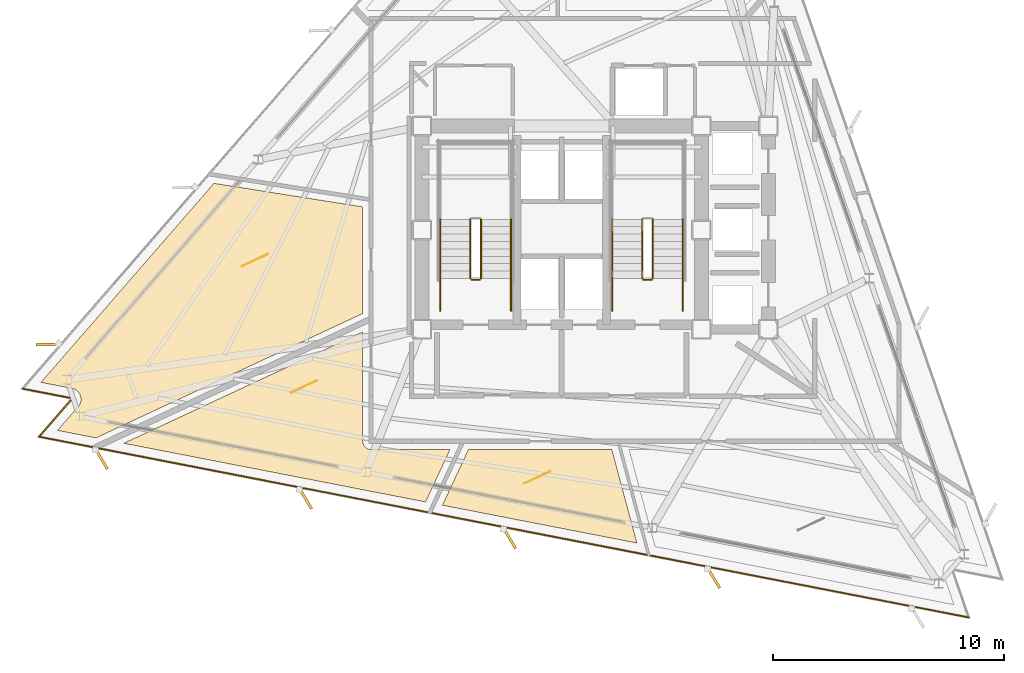
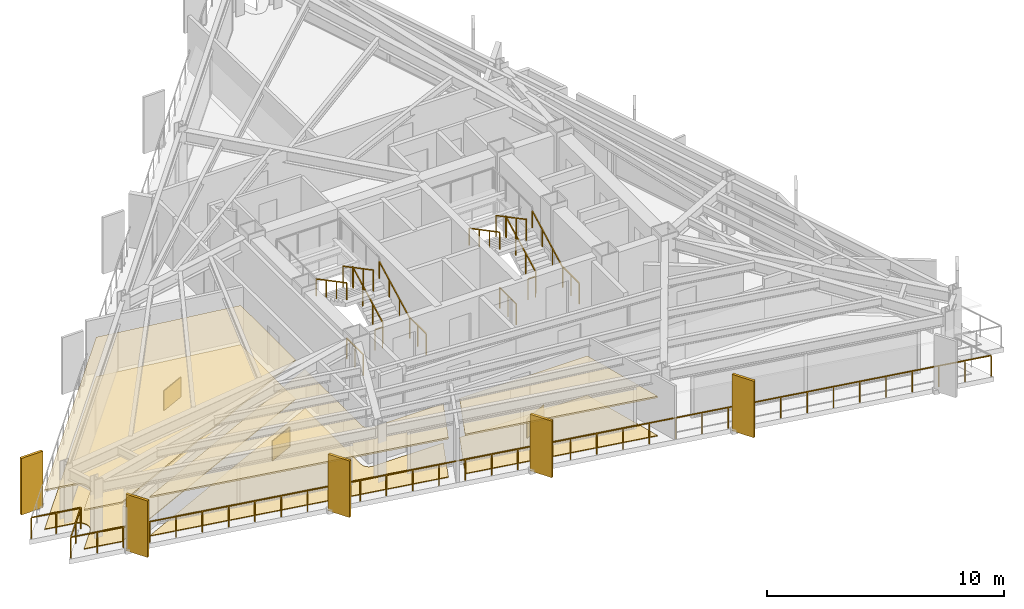
# One storey, part 11 of 13: 15 railings, 9 coverings, 5 shading devices.
"""IFC4 building model written with IfcOpenShell, lengths in metres."""

from ifc_helpers import new_model, si_unit, direction, frame, origin, origin_2d, place, context, subcontext, project, spatial, polyline, rectangle, outline, extrude, material, layer, layer_set, type_object, element, save


model = new_model("IFC4")

# Units and contexts
model_context = context("Model", 3, precision=1e-05, world=origin(), true_north=direction((0.0, 1.0)))
body_context = subcontext(model_context, "Body", "Model", "MODEL_VIEW")
ifc_project = project(units=[si_unit("LENGTHUNIT", "METRE"), si_unit("AREAUNIT", "SQUARE_METRE"), si_unit("VOLUMEUNIT", "CUBIC_METRE"), si_unit("PLANEANGLEUNIT", "RADIAN"), si_unit("MASSUNIT", "GRAM", prefix="KILO")], contexts=[model_context])

# Site, building, storey
site_placement = place(None, origin())
site = spatial("IfcSite", under=ifc_project, at=site_placement, CompositionType="ELEMENT")
building_placement = place(site_placement, origin())
building = spatial("IfcBuilding", under=site, at=building_placement, Name="Rocaltana Carrier Exchange", CompositionType="ELEMENT")
storey_placement = place(building_placement, frame((0.0, 0.0, 156.320068359375)))
storey = spatial("IfcBuildingStorey", under=building, at=storey_placement, Name="L49", CompositionType="ELEMENT", Elevation=156.320068359375)

# Coverings
ifc_material_1 = material(Name="Honed Bogota Sandstone Tile", Category="masonry")
ifc_layer_1 = layer(ifc_material_1, 0.0400390625)
ifc_layer_set_1 = layer_set([ifc_layer_1], Name="Honed Bogota Sandstone Tile")
covering_type_1 = type_object("IfcCoveringType", Name="Honed Stone Lobby Flooring 40", PredefinedType="FLOORING", material=ifc_layer_set_1)
covering_1_placement = place(storey_placement, origin())
element("IfcCovering", 1, at=covering_1_placement, inside=storey, type_object=covering_type_1, Name="L49 Peering Conference Room Finish Floor", PredefinedType="FLOORING", context=body_context, shape_type="SweptSolid", body=[
    extrude(outline(polyline([(-20.927490234375, -7.6455078125), (-20.918701171875, -7.635009765625), (-20.906494140625, -7.619140625), (-20.890380859375, -7.596435546875), (-20.879638671875, -7.57958984375), (-20.86572265625, -7.555419921875), (-20.85693359375, -7.53759765625), (-20.845703125, -7.511962890625), (-20.83837890625, -7.493408203125), (-20.829833984375, -7.466796875), (-20.824462890625, -7.447509765625), (-20.818603515625, -7.42041015625), (-20.815185546875, -7.400634765625), (-20.81201171875, -7.372802734375), (-20.810546875, -7.35302734375), (-20.81005859375, -7.3251953125), (-20.810791015625, -7.30517578125), (-20.81298828125, -7.27734375), (-20.815673828125, -7.257568359375), (-20.82080078125, -7.230224609375), (-20.8251953125, -7.210693359375), (-20.8330078125, -7.183837890625), (-20.839599609375, -7.1650390625), (-20.849853515625, -7.13916015625), (-20.8583984375, -7.12109375), (-20.87109375, -7.09619140625), (-20.88134765625, -7.0791015625), (-20.896484375, -7.055908203125), (-20.908447265625, -7.039794921875), (-20.92578125, -7.01806640625), (-20.939208984375, -7.003173828125), (-20.958984375, -6.9833984375), (-20.9736328125, -6.969970703125), (-20.9951171875, -6.9521484375), (-21.010986328125, -6.940185546875), (-21.0341796875, -6.924560546875), (-21.051513671875, -6.914306640625), (-21.075927734375, -6.901123046875), (-21.093994140625, -6.892578125), (-21.119873046875, -6.882080078125), (-21.138671875, -6.875244140625), (-21.165283203125, -6.8671875), (-21.184814453125, -6.862548828125), (-21.1982421875, -6.859619140625), (-22.541748046875, -6.598388671875), (-15.050537109375, 2.019287109375), (-8.610107421875, 0.999267578125), (-8.610107421875, -3.61767578125), (-20.158203125, -9.002685546875), (-21.82568359375, -8.6787109375), (-20.927490234375, -7.6455078125)])), origin(), (0.0, 0.0, 1.0), 0.0400390625),
])
covering_2_placement = place(storey_placement, origin())
element("IfcCovering", 2, at=covering_2_placement, inside=storey, type_object=covering_type_1, Name="L49 Incident Briefing Room Finish Floor", PredefinedType="FLOORING", context=body_context, shape_type="SweptSolid", body=[
    extrude(outline(polyline([(-18.955810546875, -9.236328125), (-8.610107421875, -4.412109375), (-8.610107421875, -9.14990234375), (-8.609619140625, -9.163818359375), (-8.609375, -9.171630859375), (-8.606689453125, -9.198974609375), (-8.60546875, -9.206787109375), (-8.60009765625, -9.233642578125), (-8.59814453125, -9.2412109375), (-8.590087890625, -9.267578125), (-8.58740234375, -9.27490234375), (-8.576904296875, -9.30029296875), (-8.57373046875, -9.307373046875), (-8.560791015625, -9.331787109375), (-8.556640625, -9.33837890625), (-8.54150390625, -9.361083984375), (-8.53662109375, -9.367431640625), (-8.519287109375, -9.388916015625), (-8.513916015625, -9.39453125), (-8.49462890625, -9.4140625), (-8.48876953125, -9.419189453125), (-8.467529296875, -9.436767578125), (-8.461181640625, -9.44140625), (-8.4384765625, -9.456787109375), (-8.431640625, -9.460693359375), (-8.407470703125, -9.4736328125), (-8.400390625, -9.47705078125), (-8.375, -9.487548828125), (-8.36767578125, -9.490234375), (-8.34130859375, -9.498291015625), (-8.33349609375, -9.5), (-8.306640625, -9.50537109375), (-8.298828125, -9.506591796875), (-8.271484375, -9.50927734375), (-8.263671875, -9.509765625), (-8.25, -9.510009765625), (-4.831787109375, -9.510009765625), (-5.888671875, -11.7763671875), (-18.955810546875, -9.236328125)])), origin(), (0.0, 0.0, 1.0), 0.0400390625),
])
covering_3_placement = place(storey_placement, origin())
element("IfcCovering", 3, at=covering_3_placement, inside=storey, type_object=covering_type_1, Name="L49 Peering Conference Room Finish Floor", PredefinedType="FLOORING", context=body_context, shape_type="SweptSolid", body=[
    extrude(outline(polyline([(-5.16015625, -11.91796875), (-4.037353515625, -9.510009765625), (2.175537109375, -9.510009765625), (3.25927734375, -13.554443359375), (-5.16015625, -11.91796875)])), origin(), (0.0, 0.0, 1.0), 0.0400390625),
])
ifc_material_2 = material(Name="Anodised Aluminium 6063-T6", Category="aluminium")
ifc_layer_2 = layer(ifc_material_2, 0.0849609375)
ifc_layer_set_2 = layer_set([ifc_layer_2], Name="Anodised Aluminium 6063-T6")
covering_type_2 = type_object("IfcCoveringType", Name="Linear Baffle Acoustic Ceiling 85", PredefinedType="CEILING", material=ifc_layer_set_2)
covering_4_placement = place(storey_placement, frame((0.0, 0.0, 1.972900390625)))
element("IfcCovering", 4, at=covering_4_placement, inside=storey, type_object=covering_type_2, Name="L49 Peering Conference Room Acoustic Ceiling", PredefinedType="CEILING", context=body_context, shape_type="SweptSolid", body=[
    extrude(outline(polyline([(-20.927490234375, -7.6455078125), (-20.918701171875, -7.635009765625), (-20.906494140625, -7.619140625), (-20.890380859375, -7.596435546875), (-20.879638671875, -7.57958984375), (-20.86572265625, -7.555419921875), (-20.85693359375, -7.53759765625), (-20.845703125, -7.511962890625), (-20.83837890625, -7.493408203125), (-20.829833984375, -7.466796875), (-20.824462890625, -7.447509765625), (-20.818603515625, -7.42041015625), (-20.815185546875, -7.400634765625), (-20.81201171875, -7.372802734375), (-20.810546875, -7.35302734375), (-20.81005859375, -7.3251953125), (-20.810791015625, -7.30517578125), (-20.81298828125, -7.27734375), (-20.815673828125, -7.257568359375), (-20.82080078125, -7.230224609375), (-20.8251953125, -7.210693359375), (-20.8330078125, -7.183837890625), (-20.839599609375, -7.1650390625), (-20.849853515625, -7.13916015625), (-20.8583984375, -7.12109375), (-20.87109375, -7.09619140625), (-20.88134765625, -7.0791015625), (-20.896484375, -7.055908203125), (-20.908447265625, -7.039794921875), (-20.92578125, -7.01806640625), (-20.939208984375, -7.003173828125), (-20.958984375, -6.9833984375), (-20.9736328125, -6.969970703125), (-20.9951171875, -6.9521484375), (-21.010986328125, -6.940185546875), (-21.0341796875, -6.924560546875), (-21.051513671875, -6.914306640625), (-21.075927734375, -6.901123046875), (-21.093994140625, -6.892578125), (-21.119873046875, -6.882080078125), (-21.138671875, -6.875244140625), (-21.165283203125, -6.8671875), (-21.184814453125, -6.862548828125), (-21.1982421875, -6.859619140625), (-22.541748046875, -6.598388671875), (-15.050537109375, 2.019287109375), (-8.610107421875, 0.999267578125), (-8.610107421875, -3.61767578125), (-20.158203125, -9.002685546875), (-21.82568359375, -8.6787109375), (-20.927490234375, -7.6455078125)])), origin(), (0.0, 0.0, 1.0), 0.0849609375),
])
covering_5_placement = place(storey_placement, frame((0.0, 0.0, 1.972900390625)))
element("IfcCovering", 5, at=covering_5_placement, inside=storey, type_object=covering_type_2, Name="L49 Incident Briefing Room Acoustic Ceiling", PredefinedType="CEILING", context=body_context, shape_type="SweptSolid", body=[
    extrude(outline(polyline([(-18.955810546875, -9.236328125), (-8.610107421875, -4.412109375), (-8.610107421875, -9.14990234375), (-8.609619140625, -9.163818359375), (-8.609375, -9.171630859375), (-8.606689453125, -9.198974609375), (-8.60546875, -9.206787109375), (-8.60009765625, -9.233642578125), (-8.59814453125, -9.2412109375), (-8.590087890625, -9.267578125), (-8.58740234375, -9.27490234375), (-8.576904296875, -9.30029296875), (-8.57373046875, -9.307373046875), (-8.560791015625, -9.331787109375), (-8.556640625, -9.33837890625), (-8.54150390625, -9.361083984375), (-8.53662109375, -9.367431640625), (-8.519287109375, -9.388916015625), (-8.513916015625, -9.39453125), (-8.49462890625, -9.4140625), (-8.48876953125, -9.419189453125), (-8.467529296875, -9.436767578125), (-8.461181640625, -9.44140625), (-8.4384765625, -9.456787109375), (-8.431640625, -9.460693359375), (-8.407470703125, -9.4736328125), (-8.400390625, -9.47705078125), (-8.375, -9.487548828125), (-8.36767578125, -9.490234375), (-8.34130859375, -9.498291015625), (-8.33349609375, -9.5), (-8.306640625, -9.50537109375), (-8.298828125, -9.506591796875), (-8.271484375, -9.50927734375), (-8.263671875, -9.509765625), (-8.25, -9.510009765625), (-4.831787109375, -9.510009765625), (-5.888671875, -11.7763671875), (-18.955810546875, -9.236328125)])), origin(), (0.0, 0.0, 1.0), 0.0849609375),
])
covering_6_placement = place(storey_placement, frame((0.0, 0.0, 1.972900390625)))
element("IfcCovering", 6, at=covering_6_placement, inside=storey, type_object=covering_type_2, Name="L49 Peering Conference Room Acoustic Ceiling", PredefinedType="CEILING", context=body_context, shape_type="SweptSolid", body=[
    extrude(outline(polyline([(-5.16015625, -11.91796875), (-4.037353515625, -9.510009765625), (2.175537109375, -9.510009765625), (3.25927734375, -13.554443359375), (-5.16015625, -11.91796875)])), origin(), (0.0, 0.0, 1.0), 0.0849609375),
])

# Railings
ifc_material_3 = material(Name="Brushed Architectural Stainless Tube", Category="steel")
ifc_layer_3 = layer(ifc_material_3, 0.048095703125)
ifc_layer_set_3 = layer_set([ifc_layer_3], Name="Brushed Architectural Stainless Tube")
railing_type_1 = type_object("IfcRailingType", Name="Stair Wall Handrail 920", PredefinedType="HANDRAIL", material=ifc_layer_set_3)
railing_1_placement = place(storey_placement, frame((-2.18994140625, -2.10009765625, 0.168701171875)))
element("IfcRailing", 7, at=railing_1_placement, inside=storey, type_object=railing_type_1, Name="L49 ST-1 stair handrail 1", PredefinedType="HANDRAIL", context=body_context, shape_type="SweptSolid", body=[
    extrude(rectangle(XDim=0.048095703125, YDim=0.048095703125, at=origin_2d()), frame((0.0, 0.0, 0.8759765625), z_axis=(0.0, 0.884359608194, 0.46680625895), x_axis=(-1.0, 0.0, 0.0)), (0.0, 0.0, 1.0), 2.894775390625),
    extrude(rectangle(XDim=0.0419921875, YDim=0.0419921875, at=origin_2d()), origin(), (0.0, 0.0, 1.0), 0.851806640625),
    extrude(rectangle(XDim=0.0419921875, YDim=0.0419921875, at=origin_2d()), frame((0.0, 0.853271484375, 0.450439453125)), (0.0, 0.0, 1.0), 0.851806640625),
    extrude(rectangle(XDim=0.0419921875, YDim=0.0419921875, at=origin_2d()), frame((0.0, 1.706787109375, 0.90087890625)), (0.0, 0.0, 1.0), 0.851806640625),
    extrude(rectangle(XDim=0.0419921875, YDim=0.0419921875, at=origin_2d()), frame((0.0, 2.56005859375, 1.351318359375)), (0.0, 0.0, 1.0), 0.851806640625),
])
railing_2_placement = place(storey_placement, frame((-5.25, 0.4599609375, 1.688720703125)))
element("IfcRailing", 8, at=railing_2_placement, inside=storey, type_object=railing_type_1, Name="L49 ST-1 stair handrail 2", PredefinedType="HANDRAIL", context=body_context, shape_type="SweptSolid", body=[
    extrude(rectangle(XDim=0.048095703125, YDim=0.048095703125, at=origin_2d()), frame((0.0, 0.0, 0.8759765625), z_axis=(0.0, -0.884359608194, 0.46680625895), x_axis=(1.0, 0.0, 0.0)), (0.0, 0.0, 1.0), 2.894775390625),
    extrude(rectangle(XDim=0.0419921875, YDim=0.0419921875, at=origin_2d()), origin(), (0.0, 0.0, 1.0), 0.851806640625),
    extrude(rectangle(XDim=0.0419921875, YDim=0.0419921875, at=origin_2d()), frame((0.0, -0.853271484375, 0.450439453125)), (0.0, 0.0, 1.0), 0.851806640625),
    extrude(rectangle(XDim=0.0419921875, YDim=0.0419921875, at=origin_2d()), frame((0.0, -1.706787109375, 0.90087890625)), (0.0, 0.0, 1.0), 0.851806640625),
    extrude(rectangle(XDim=0.0419921875, YDim=0.0419921875, at=origin_2d()), frame((0.0, -2.56005859375, 1.351318359375)), (0.0, 0.0, 1.0), 0.851806640625),
])
railing_3_placement = place(storey_placement, frame((5.25, -2.10009765625, 0.168701171875)))
element("IfcRailing", 9, at=railing_3_placement, inside=storey, type_object=railing_type_1, Name="L49 ST-2 stair handrail 1", PredefinedType="HANDRAIL", context=body_context, shape_type="SweptSolid", body=[
    extrude(rectangle(XDim=0.048095703125, YDim=0.048095703125, at=origin_2d()), frame((0.0, 0.0, 0.8759765625), z_axis=(0.0, 0.884359608194, 0.46680625895), x_axis=(-1.0, 0.0, 0.0)), (0.0, 0.0, 1.0), 2.894775390625),
    extrude(rectangle(XDim=0.0419921875, YDim=0.0419921875, at=origin_2d()), origin(), (0.0, 0.0, 1.0), 0.851806640625),
    extrude(rectangle(XDim=0.0419921875, YDim=0.0419921875, at=origin_2d()), frame((0.0, 0.853271484375, 0.450439453125)), (0.0, 0.0, 1.0), 0.851806640625),
    extrude(rectangle(XDim=0.0419921875, YDim=0.0419921875, at=origin_2d()), frame((0.0, 1.706787109375, 0.90087890625)), (0.0, 0.0, 1.0), 0.851806640625),
    extrude(rectangle(XDim=0.0419921875, YDim=0.0419921875, at=origin_2d()), frame((0.0, 2.56005859375, 1.351318359375)), (0.0, 0.0, 1.0), 0.851806640625),
])
railing_4_placement = place(storey_placement, frame((2.18994140625, 0.4599609375, 1.688720703125)))
element("IfcRailing", 10, at=railing_4_placement, inside=storey, type_object=railing_type_1, Name="L49 ST-2 stair handrail 2", PredefinedType="HANDRAIL", context=body_context, shape_type="SweptSolid", body=[
    extrude(rectangle(XDim=0.048095703125, YDim=0.048095703125, at=origin_2d()), frame((0.0, 0.0, 0.8759765625), z_axis=(0.0, -0.884359608194, 0.46680625895), x_axis=(1.0, 0.0, 0.0)), (0.0, 0.0, 1.0), 2.894775390625),
    extrude(rectangle(XDim=0.0419921875, YDim=0.0419921875, at=origin_2d()), origin(), (0.0, 0.0, 1.0), 0.851806640625),
    extrude(rectangle(XDim=0.0419921875, YDim=0.0419921875, at=origin_2d()), frame((0.0, -0.853271484375, 0.450439453125)), (0.0, 0.0, 1.0), 0.851806640625),
    extrude(rectangle(XDim=0.0419921875, YDim=0.0419921875, at=origin_2d()), frame((0.0, -1.706787109375, 0.90087890625)), (0.0, 0.0, 1.0), 0.851806640625),
    extrude(rectangle(XDim=0.0419921875, YDim=0.0419921875, at=origin_2d()), frame((0.0, -2.56005859375, 1.351318359375)), (0.0, 0.0, 1.0), 0.851806640625),
])
ifc_material_4 = material(Name="Powder-Coated Aluminium 6063-T6", Category="aluminium")
ifc_layer_4 = layer(ifc_material_4, 0.048095703125)
ifc_layer_set_4 = layer_set([ifc_layer_4], Name="Powder-Coated Aluminium 6063-T6")
railing_type_2 = type_object("IfcRailingType", Name="Stair Well Guardrail 1100", PredefinedType="GUARDRAIL", material=ifc_layer_set_4)
railing_5_placement = place(storey_placement, frame((-3.489990234375, -2.10009765625, 0.168701171875)))
element("IfcRailing", 11, at=railing_5_placement, inside=storey, type_object=railing_type_2, Name="L49 ST-1 stair guard 1", PredefinedType="GUARDRAIL", context=body_context, shape_type="SweptSolid", body=[
    extrude(rectangle(XDim=0.048095703125, YDim=0.048095703125, at=origin_2d()), frame((0.0, 0.0, 1.076171875), z_axis=(0.0, 0.884359608194, 0.46680625895), x_axis=(-1.0, 0.0, 0.0)), (0.0, 0.0, 1.0), 2.894775390625),
    extrude(rectangle(XDim=0.0419921875, YDim=0.0419921875, at=origin_2d()), origin(), (0.0, 0.0, 1.0), 1.052001953125),
    extrude(rectangle(XDim=0.0419921875, YDim=0.0419921875, at=origin_2d()), frame((0.0, 0.853271484375, 0.450439453125)), (0.0, 0.0, 1.0), 1.052001953125),
    extrude(rectangle(XDim=0.0419921875, YDim=0.0419921875, at=origin_2d()), frame((0.0, 1.706787109375, 0.90087890625)), (0.0, 0.0, 1.0), 1.052001953125),
    extrude(rectangle(XDim=0.0419921875, YDim=0.0419921875, at=origin_2d()), frame((0.0, 2.56005859375, 1.351318359375)), (0.0, 0.0, 1.0), 1.052001953125),
])
railing_6_placement = place(storey_placement, frame((-3.949951171875, 0.4599609375, 1.688720703125)))
element("IfcRailing", 12, at=railing_6_placement, inside=storey, type_object=railing_type_2, Name="L49 ST-1 stair guard 6", PredefinedType="GUARDRAIL", context=body_context, shape_type="SweptSolid", body=[
    extrude(rectangle(XDim=0.048095703125, YDim=0.048095703125, at=origin_2d()), frame((0.0, 0.0, 1.076171875), z_axis=(0.0, -0.884359608194, 0.46680625895), x_axis=(1.0, 0.0, 0.0)), (0.0, 0.0, 1.0), 2.894775390625),
    extrude(rectangle(XDim=0.0419921875, YDim=0.0419921875, at=origin_2d()), origin(), (0.0, 0.0, 1.0), 1.052001953125),
    extrude(rectangle(XDim=0.0419921875, YDim=0.0419921875, at=origin_2d()), frame((0.0, -0.853271484375, 0.450439453125)), (0.0, 0.0, 1.0), 1.052001953125),
    extrude(rectangle(XDim=0.0419921875, YDim=0.0419921875, at=origin_2d()), frame((0.0, -1.706787109375, 0.90087890625)), (0.0, 0.0, 1.0), 1.052001953125),
    extrude(rectangle(XDim=0.0419921875, YDim=0.0419921875, at=origin_2d()), frame((0.0, -2.56005859375, 1.351318359375)), (0.0, 0.0, 1.0), 1.052001953125),
])
railing_7_placement = place(storey_placement, frame((-3.5400390625, -2.14990234375, 0.0)))
element("IfcRailing", 13, at=railing_7_placement, inside=storey, type_object=railing_type_2, Name="L49 ST-1 stair guard 7", PredefinedType="GUARDRAIL", context=body_context, shape_type="SweptSolid", body=[
    extrude(rectangle(XDim=0.048095703125, YDim=0.048095703125, at=origin_2d()), frame((0.0, 0.0, 1.076171875), z_axis=(-1.0, 0.0, 0.0), x_axis=(0.0, -1.0, 0.0)), (0.0, 0.0, 1.0), 0.35986328125),
    extrude(rectangle(XDim=0.0419921875, YDim=0.0419921875, at=origin_2d()), origin(), (0.0, 0.0, 1.0), 1.052001953125),
    extrude(rectangle(XDim=0.0419921875, YDim=0.0419921875, at=origin_2d()), frame((-0.35986328125, 0.0, 0.0)), (0.0, 0.0, 1.0), 1.052001953125),
])
for number, where, name in (
    (14, (-2.18994140625, -3.5, 0.0), "L49 ST-1 stair guard 8"),
    (15, (-5.25, -3.5, 0.0), "L49 ST-1 stair guard 9"),
):
    element("IfcRailing", number, at=place(storey_placement, frame(where)), inside=storey, type_object=railing_type_2, Name=name, PredefinedType="GUARDRAIL", context=body_context, shape_type="SweptSolid", body=[
        extrude(rectangle(XDim=0.048095703125, YDim=0.048095703125, at=origin_2d()), frame((0.0, 0.0, 1.076171875), z_axis=(0.0, 1.0, 0.0), x_axis=(-1.0, 0.0, 0.0)), (0.0, 0.0, 1.0), 1.39990234375),
        extrude(rectangle(XDim=0.0419921875, YDim=0.0419921875, at=origin_2d()), origin(), (0.0, 0.0, 1.0), 1.052001953125),
        extrude(rectangle(XDim=0.0419921875, YDim=0.0419921875, at=origin_2d()), frame((0.0, 0.699951171875, 0.0)), (0.0, 0.0, 1.0), 1.052001953125),
        extrude(rectangle(XDim=0.0419921875, YDim=0.0419921875, at=origin_2d()), frame((0.0, 1.39990234375, 0.0)), (0.0, 0.0, 1.0), 1.052001953125),
    ])
railing_8_placement = place(storey_placement, frame((3.949951171875, -2.10009765625, 0.168701171875)))
element("IfcRailing", 16, at=railing_8_placement, inside=storey, type_object=railing_type_2, Name="L49 ST-2 stair guard 1", PredefinedType="GUARDRAIL", context=body_context, shape_type="SweptSolid", body=[
    extrude(rectangle(XDim=0.048095703125, YDim=0.048095703125, at=origin_2d()), frame((0.0, 0.0, 1.076171875), z_axis=(0.0, 0.884359608194, 0.46680625895), x_axis=(-1.0, 0.0, 0.0)), (0.0, 0.0, 1.0), 2.894775390625),
    extrude(rectangle(XDim=0.0419921875, YDim=0.0419921875, at=origin_2d()), origin(), (0.0, 0.0, 1.0), 1.052001953125),
    extrude(rectangle(XDim=0.0419921875, YDim=0.0419921875, at=origin_2d()), frame((0.0, 0.853271484375, 0.450439453125)), (0.0, 0.0, 1.0), 1.052001953125),
    extrude(rectangle(XDim=0.0419921875, YDim=0.0419921875, at=origin_2d()), frame((0.0, 1.706787109375, 0.90087890625)), (0.0, 0.0, 1.0), 1.052001953125),
    extrude(rectangle(XDim=0.0419921875, YDim=0.0419921875, at=origin_2d()), frame((0.0, 2.56005859375, 1.351318359375)), (0.0, 0.0, 1.0), 1.052001953125),
])
railing_9_placement = place(storey_placement, frame((3.489990234375, 0.4599609375, 1.688720703125)))
element("IfcRailing", 17, at=railing_9_placement, inside=storey, type_object=railing_type_2, Name="L49 ST-2 stair guard 6", PredefinedType="GUARDRAIL", context=body_context, shape_type="SweptSolid", body=[
    extrude(rectangle(XDim=0.048095703125, YDim=0.048095703125, at=origin_2d()), frame((0.0, 0.0, 1.076171875), z_axis=(0.0, -0.884359608194, 0.46680625895), x_axis=(1.0, 0.0, 0.0)), (0.0, 0.0, 1.0), 2.894775390625),
    extrude(rectangle(XDim=0.0419921875, YDim=0.0419921875, at=origin_2d()), origin(), (0.0, 0.0, 1.0), 1.052001953125),
    extrude(rectangle(XDim=0.0419921875, YDim=0.0419921875, at=origin_2d()), frame((0.0, -0.853271484375, 0.450439453125)), (0.0, 0.0, 1.0), 1.052001953125),
    extrude(rectangle(XDim=0.0419921875, YDim=0.0419921875, at=origin_2d()), frame((0.0, -1.706787109375, 0.90087890625)), (0.0, 0.0, 1.0), 1.052001953125),
    extrude(rectangle(XDim=0.0419921875, YDim=0.0419921875, at=origin_2d()), frame((0.0, -2.56005859375, 1.351318359375)), (0.0, 0.0, 1.0), 1.052001953125),
])
railing_10_placement = place(storey_placement, frame((3.89990234375, -2.14990234375, 0.0)))
element("IfcRailing", 18, at=railing_10_placement, inside=storey, type_object=railing_type_2, Name="L49 ST-2 stair guard 7", PredefinedType="GUARDRAIL", context=body_context, shape_type="SweptSolid", body=[
    extrude(rectangle(XDim=0.048095703125, YDim=0.048095703125, at=origin_2d()), frame((0.0, 0.0, 1.076171875), z_axis=(-1.0, 0.0, 0.0), x_axis=(0.0, -1.0, 0.0)), (0.0, 0.0, 1.0), 0.35986328125),
    extrude(rectangle(XDim=0.0419921875, YDim=0.0419921875, at=origin_2d()), origin(), (0.0, 0.0, 1.0), 1.052001953125),
    extrude(rectangle(XDim=0.0419921875, YDim=0.0419921875, at=origin_2d()), frame((-0.35986328125, 0.0, 0.0)), (0.0, 0.0, 1.0), 1.052001953125),
])
for number, where, name in (
    (19, (5.25, -3.5, 0.0), "L49 ST-2 stair guard 8"),
    (20, (2.18994140625, -3.5, 0.0), "L49 ST-2 stair guard 9"),
):
    element("IfcRailing", number, at=place(storey_placement, frame(where)), inside=storey, type_object=railing_type_2, Name=name, PredefinedType="GUARDRAIL", context=body_context, shape_type="SweptSolid", body=[
        extrude(rectangle(XDim=0.048095703125, YDim=0.048095703125, at=origin_2d()), frame((0.0, 0.0, 1.076171875), z_axis=(0.0, 1.0, 0.0), x_axis=(-1.0, 0.0, 0.0)), (0.0, 0.0, 1.0), 1.39990234375),
        extrude(rectangle(XDim=0.0419921875, YDim=0.0419921875, at=origin_2d()), origin(), (0.0, 0.0, 1.0), 1.052001953125),
        extrude(rectangle(XDim=0.0419921875, YDim=0.0419921875, at=origin_2d()), frame((0.0, 0.699951171875, 0.0)), (0.0, 0.0, 1.0), 1.052001953125),
        extrude(rectangle(XDim=0.0419921875, YDim=0.0419921875, at=origin_2d()), frame((0.0, 1.39990234375, 0.0)), (0.0, 0.0, 1.0), 1.052001953125),
    ])

# Coverings
ifc_material_5 = material(Name="Honed Piedra Muneca Sandstone", Category="masonry")
ifc_layer_5 = layer(ifc_material_5, 0.034912109375)
ifc_layer_set_5 = layer_set([ifc_layer_5], Name="Honed Piedra Muneca Sandstone")
covering_type_3 = type_object("IfcCoveringType", Name="Stone Facade Cladding 35", PredefinedType="CLADDING", material=ifc_layer_set_5)
for number, where, z_axis, x_axis, name in (
    (21, (-13.277099609375, -1.30908203125, 0.0), (0.0, 0.0, 1.0), (0.906307787037, 0.422618261741, 0.0), "L49 Stone Facade Cladding Panel 1"),
    (22, (-11.150146484375, -6.781005859375, 0.0), (0.0, 0.0, 1.0), (0.906307787037, 0.422618261741, 0.0), "L49 Stone Facade Cladding Panel 2"),
    (23, (-1.05029296875, -10.714111328125, 0.0), (0.0, 0.0, 1.0), (0.906307787037, 0.422618261741, 0.0), "L49 Stone Facade Cladding Panel 3"),
):
    element("IfcCovering", number, at=place(storey_placement, frame(where, z_axis=z_axis, x_axis=x_axis)), inside=storey, type_object=covering_type_3, Name=name, PredefinedType="CLADDING", context=body_context, shape_type="SweptSolid", body=[
        extrude(rectangle(XDim=1.25, YDim=0.034912109375, at=origin_2d()), origin(), (0.0, 0.0, 1.0), 1.050048828125),
    ])

# Shading devices
ifc_material_6 = material(Name="Honed Bogota Sandstone & Concrete C45/55", Category="masonry")
ifc_layer_6 = layer(ifc_material_6, 0.1201171875)
ifc_layer_set_6 = layer_set([ifc_layer_6], Name="Honed Bogota Sandstone & Concrete C45/55")
shading_device_type = type_object("IfcShadingDeviceType", Name="Upper Sandstone Shading Fin 1050x120", PredefinedType="USERDEFINED", material=ifc_layer_set_6)
for number, where, z_axis, x_axis, name in (
    (24, (-22.228759765625, -4.95703125, -0.1201171875), (0.0, 0.0, 1.0), (-0.999847695156, -0.017452406437, 0.0), "L49 Sandstone Vertical Fin F2-05"),
    (25, (-19.93115234375, -9.90283203125, -0.1201171875), (0.0, 0.0, 1.0), (0.51503807491, -0.857167300702, 0.0), "L49 Sandstone Vertical Fin F3-01"),
    (26, (-11.0966796875, -11.6201171875, -0.1201171875), (0.0, 0.0, 1.0), (0.51503807491, -0.857167300702, 0.0), "L49 Sandstone Vertical Fin F3-02"),
    (27, (-2.261962890625, -13.33740234375, -0.1201171875), (0.0, 0.0, 1.0), (0.51503807491, -0.857167300702, 0.0), "L49 Sandstone Vertical Fin F3-03"),
    (28, (6.57275390625, -15.0546875, -0.1201171875), (0.0, 0.0, 1.0), (0.51503807491, -0.857167300702, 0.0), "L49 Sandstone Vertical Fin F3-04"),
):
    element("IfcShadingDevice", number, at=place(storey_placement, frame(where, z_axis=z_axis, x_axis=x_axis)), inside=storey, type_object=shading_device_type, Name=name, ObjectType="FIN", PredefinedType="USERDEFINED", context=body_context, shape_type="SweptSolid", body=[
        extrude(rectangle(XDim=1.050048828125, YDim=0.1201171875, at=origin_2d()), origin(), (0.0, 0.0, 1.0), 2.907958984375),
    ])

# Railing
ifc_material_7 = material(Name="Powder-Coated Aluminium 6063-T6", Category="aluminium")
ifc_layer_7 = layer(ifc_material_7, 0.06005859375)
ifc_layer_set_7 = layer_set([ifc_layer_7], Name="Powder-Coated Aluminium 6063-T6")
railing_type_3 = type_object("IfcRailingType", Name="Wind-Floor & Terrace Perimeter Guardrail 1100", PredefinedType="GUARDRAIL", material=ifc_layer_set_7)
railing_11_placement = place(storey_placement, frame((17.619140625, -16.773681640625, 0.0)))
element("IfcRailing", 29, at=railing_11_placement, inside=storey, type_object=railing_type_3, Name="L49 Perimeter Balcony Guardrail 1", PredefinedType="GUARDRAIL", context=body_context, shape_type="SweptSolid", body=[
    extrude(rectangle(XDim=0.048095703125, YDim=0.048095703125, at=origin_2d()), frame((0.0, 0.0, 1.076171875), z_axis=(-0.981626701724, 0.190811473615, 0.0), x_axis=(-0.190811473615, -0.981626701724, 0.0)), (0.0, 0.0, 1.0), 40.9921875),
    extrude(rectangle(XDim=0.048095703125, YDim=0.048095703125, at=origin_2d()), frame((-40.239013671875, 7.82177734375, 1.076171875), z_axis=(0.656057821484, 0.75471062989, 0.0), x_axis=(-0.75471062989, 0.656057821484, 0.0)), (0.0, 0.0, 1.0), 2.199951171875),
    extrude(rectangle(XDim=0.048095703125, YDim=0.048095703125, at=origin_2d()), frame((-38.795654296875, 9.482177734375, 1.076171875), z_axis=(-0.98163329095, 0.190777572317, 0.0), x_axis=(-0.190777572317, -0.98163329095, 0.0)), (0.0, 0.0, 1.0), 2.19970703125),
    extrude(rectangle(XDim=0.0419921875, YDim=0.0419921875, at=origin_2d()), origin(), (0.0, 0.0, 1.0), 1.052001953125),
    extrude(rectangle(XDim=0.0419921875, YDim=0.0419921875, at=origin_2d()), frame((-1.149658203125, 0.223388671875, 0.0)), (0.0, 0.0, 1.0), 1.052001953125),
    extrude(rectangle(XDim=0.0419921875, YDim=0.0419921875, at=origin_2d()), frame((-2.29931640625, 0.447021484375, 0.0)), (0.0, 0.0, 1.0), 1.052001953125),
    extrude(rectangle(XDim=0.0419921875, YDim=0.0419921875, at=origin_2d()), frame((-3.448974609375, 0.67041015625, 0.0)), (0.0, 0.0, 1.0), 1.052001953125),
    extrude(rectangle(XDim=0.0419921875, YDim=0.0419921875, at=origin_2d()), frame((-4.5986328125, 0.893798828125, 0.0)), (0.0, 0.0, 1.0), 1.052001953125),
    extrude(rectangle(XDim=0.0419921875, YDim=0.0419921875, at=origin_2d()), frame((-5.74853515625, 1.117431640625, 0.0)), (0.0, 0.0, 1.0), 1.052001953125),
    extrude(rectangle(XDim=0.0419921875, YDim=0.0419921875, at=origin_2d()), frame((-6.898193359375, 1.3408203125, 0.0)), (0.0, 0.0, 1.0), 1.052001953125),
    extrude(rectangle(XDim=0.0419921875, YDim=0.0419921875, at=origin_2d()), frame((-8.0478515625, 1.564453125, 0.0)), (0.0, 0.0, 1.0), 1.052001953125),
    extrude(rectangle(XDim=0.0419921875, YDim=0.0419921875, at=origin_2d()), frame((-9.197509765625, 1.787841796875, 0.0)), (0.0, 0.0, 1.0), 1.052001953125),
    extrude(rectangle(XDim=0.0419921875, YDim=0.0419921875, at=origin_2d()), frame((-10.34716796875, 2.01123046875, 0.0)), (0.0, 0.0, 1.0), 1.052001953125),
    extrude(rectangle(XDim=0.0419921875, YDim=0.0419921875, at=origin_2d()), frame((-11.496826171875, 2.23486328125, 0.0)), (0.0, 0.0, 1.0), 1.052001953125),
    extrude(rectangle(XDim=0.0419921875, YDim=0.0419921875, at=origin_2d()), frame((-12.646484375, 2.458251953125, 0.0)), (0.0, 0.0, 1.0), 1.052001953125),
    extrude(rectangle(XDim=0.0419921875, YDim=0.0419921875, at=origin_2d()), frame((-13.796142578125, 2.681640625, 0.0)), (0.0, 0.0, 1.0), 1.052001953125),
    extrude(rectangle(XDim=0.0419921875, YDim=0.0419921875, at=origin_2d()), frame((-14.94580078125, 2.9052734375, 0.0)), (0.0, 0.0, 1.0), 1.052001953125),
    extrude(rectangle(XDim=0.0419921875, YDim=0.0419921875, at=origin_2d()), frame((-16.095703125, 3.128662109375, 0.0)), (0.0, 0.0, 1.0), 1.052001953125),
    extrude(rectangle(XDim=0.0419921875, YDim=0.0419921875, at=origin_2d()), frame((-17.245361328125, 3.352294921875, 0.0)), (0.0, 0.0, 1.0), 1.052001953125),
    extrude(rectangle(XDim=0.0419921875, YDim=0.0419921875, at=origin_2d()), frame((-18.39501953125, 3.57568359375, 0.0)), (0.0, 0.0, 1.0), 1.052001953125),
    extrude(rectangle(XDim=0.0419921875, YDim=0.0419921875, at=origin_2d()), frame((-19.544677734375, 3.799072265625, 0.0)), (0.0, 0.0, 1.0), 1.052001953125),
    extrude(rectangle(XDim=0.0419921875, YDim=0.0419921875, at=origin_2d()), frame((-20.6943359375, 4.022705078125, 0.0)), (0.0, 0.0, 1.0), 1.052001953125),
    extrude(rectangle(XDim=0.0419921875, YDim=0.0419921875, at=origin_2d()), frame((-21.843994140625, 4.24609375, 0.0)), (0.0, 0.0, 1.0), 1.052001953125),
    extrude(rectangle(XDim=0.0419921875, YDim=0.0419921875, at=origin_2d()), frame((-22.99365234375, 4.469482421875, 0.0)), (0.0, 0.0, 1.0), 1.052001953125),
    extrude(rectangle(XDim=0.0419921875, YDim=0.0419921875, at=origin_2d()), frame((-24.143310546875, 4.693115234375, 0.0)), (0.0, 0.0, 1.0), 1.052001953125),
    extrude(rectangle(XDim=0.0419921875, YDim=0.0419921875, at=origin_2d()), frame((-25.293212890625, 4.91650390625, 0.0)), (0.0, 0.0, 1.0), 1.052001953125),
    extrude(rectangle(XDim=0.0419921875, YDim=0.0419921875, at=origin_2d()), frame((-26.44287109375, 5.14013671875, 0.0)), (0.0, 0.0, 1.0), 1.052001953125),
    extrude(rectangle(XDim=0.0419921875, YDim=0.0419921875, at=origin_2d()), frame((-27.592529296875, 5.363525390625, 0.0)), (0.0, 0.0, 1.0), 1.052001953125),
    extrude(rectangle(XDim=0.0419921875, YDim=0.0419921875, at=origin_2d()), frame((-28.7421875, 5.5869140625, 0.0)), (0.0, 0.0, 1.0), 1.052001953125),
    extrude(rectangle(XDim=0.0419921875, YDim=0.0419921875, at=origin_2d()), frame((-29.891845703125, 5.810546875, 0.0)), (0.0, 0.0, 1.0), 1.052001953125),
    extrude(rectangle(XDim=0.0419921875, YDim=0.0419921875, at=origin_2d()), frame((-31.04150390625, 6.033935546875, 0.0)), (0.0, 0.0, 1.0), 1.052001953125),
    extrude(rectangle(XDim=0.0419921875, YDim=0.0419921875, at=origin_2d()), frame((-32.191162109375, 6.25732421875, 0.0)), (0.0, 0.0, 1.0), 1.052001953125),
    extrude(rectangle(XDim=0.0419921875, YDim=0.0419921875, at=origin_2d()), frame((-33.3408203125, 6.48095703125, 0.0)), (0.0, 0.0, 1.0), 1.052001953125),
    extrude(rectangle(XDim=0.0419921875, YDim=0.0419921875, at=origin_2d()), frame((-34.490478515625, 6.704345703125, 0.0)), (0.0, 0.0, 1.0), 1.052001953125),
    extrude(rectangle(XDim=0.0419921875, YDim=0.0419921875, at=origin_2d()), frame((-35.640380859375, 6.927978515625, 0.0)), (0.0, 0.0, 1.0), 1.052001953125),
    extrude(rectangle(XDim=0.0419921875, YDim=0.0419921875, at=origin_2d()), frame((-36.7900390625, 7.1513671875, 0.0)), (0.0, 0.0, 1.0), 1.052001953125),
    extrude(rectangle(XDim=0.0419921875, YDim=0.0419921875, at=origin_2d()), frame((-37.939697265625, 7.374755859375, 0.0)), (0.0, 0.0, 1.0), 1.052001953125),
    extrude(rectangle(XDim=0.0419921875, YDim=0.0419921875, at=origin_2d()), frame((-39.08935546875, 7.598388671875, 0.0)), (0.0, 0.0, 1.0), 1.052001953125),
    extrude(rectangle(XDim=0.0419921875, YDim=0.0419921875, at=origin_2d()), frame((-40.239013671875, 7.82177734375, 0.0)), (0.0, 0.0, 1.0), 1.052001953125),
    extrude(rectangle(XDim=0.0419921875, YDim=0.0419921875, at=origin_2d()), frame((-39.517333984375, 8.65185546875, 0.0)), (0.0, 0.0, 1.0), 1.052001953125),
    extrude(rectangle(XDim=0.0419921875, YDim=0.0419921875, at=origin_2d()), frame((-38.795654296875, 9.482177734375, 0.0)), (0.0, 0.0, 1.0), 1.052001953125),
    extrude(rectangle(XDim=0.0419921875, YDim=0.0419921875, at=origin_2d()), frame((-39.87548828125, 9.69189453125, 0.0)), (0.0, 0.0, 1.0), 1.052001953125),
    extrude(rectangle(XDim=0.0419921875, YDim=0.0419921875, at=origin_2d()), frame((-40.955078125, 9.90185546875, 0.0)), (0.0, 0.0, 1.0), 1.052001953125),
])

save(model, "model.ifc")
